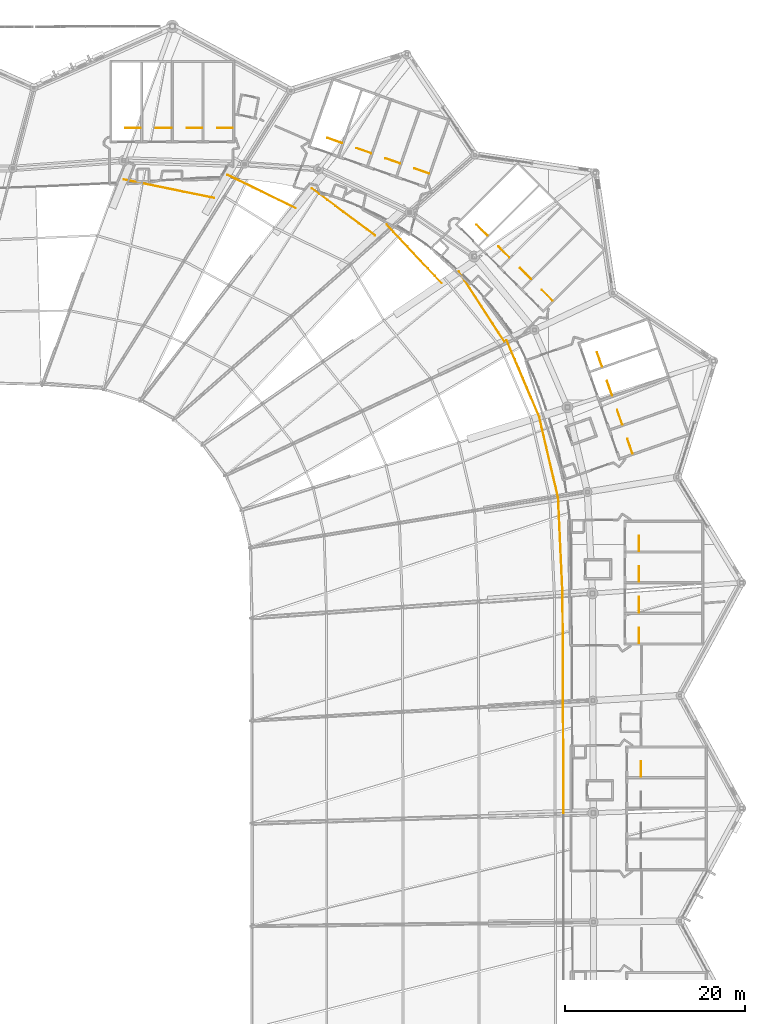
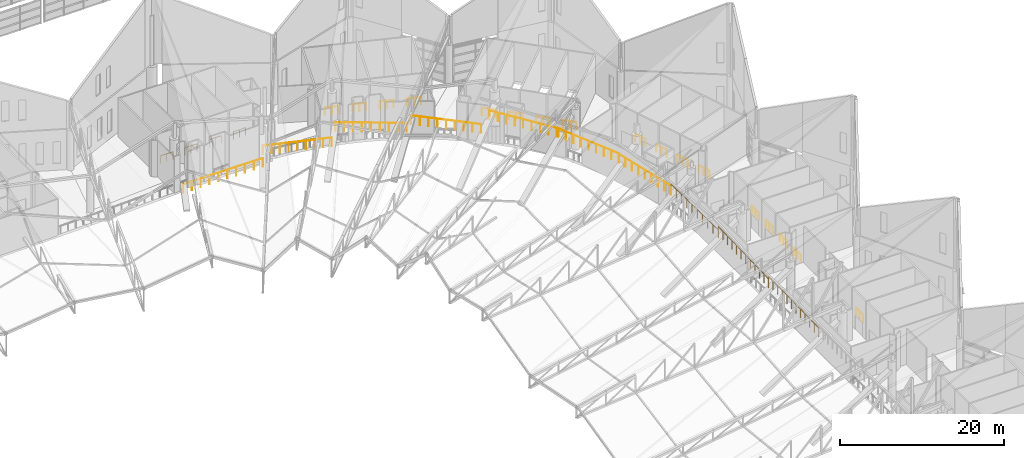
# One storey, part 344 of 344: 31 railings.
"""IFC4 building model written with IfcOpenShell, lengths in metres."""

from ifc_helpers import new_model, si_unit, direction, frame, origin, origin_2d, place, context, subcontext, project, spatial, circle, extrude, material, type_object, element, save


model = new_model("IFC4")

# Units and contexts
model_context = context("Model", 3, precision=1e-05, world=origin(), true_north=direction((0.0, 1.0)))
body_context = subcontext(model_context, "Body", "Model", "MODEL_VIEW")
ifc_project = project(units=[si_unit("LENGTHUNIT", "METRE"), si_unit("AREAUNIT", "SQUARE_METRE"), si_unit("VOLUMEUNIT", "CUBIC_METRE"), si_unit("PLANEANGLEUNIT", "RADIAN"), si_unit("MASSUNIT", "GRAM", prefix="KILO")], contexts=[model_context])

# Site, building, storey
site_placement = place(None, origin())
site = spatial("IfcSite", under=ifc_project, at=site_placement, CompositionType="ELEMENT")
building_placement = place(site_placement, origin())
building = spatial("IfcBuilding", under=site, at=building_placement, Name="Meseta Stadium", CompositionType="ELEMENT")
storey_placement = place(building_placement, frame((0.0, 0.0, 24.0)))
storey = spatial("IfcBuildingStorey", under=building, at=storey_placement, Name="L04", CompositionType="ELEMENT", Elevation=24.0)

# Railings
ifc_material_1 = material(Name="Steel S355", Category="steel")
railing_type_1 = type_object("IfcRailingType", Name="Stair guard 1100", PredefinedType="GUARDRAIL", material=ifc_material_1)
for number, where, name in (
    (1, (90.25, 22.25, 0.0), "ST16 L04 well guard 1"),
    (2, (90.050048828125, 37.050048828125, 0.0), "ST17 L04 well guard 1"),
    (3, (90.050048828125, 40.449951171875, 0.0), "ST18 L04 well guard 1"),
    (4, (90.050048828125, 43.85009765625, 0.0), "ST19 L04 well guard 1"),
    (5, (90.050048828125, 47.25, 0.0), "ST20 L04 well guard 1"),
):
    element("IfcRailing", number, at=place(storey_placement, frame(where)), inside=storey, type_object=railing_type_1, Name=name, PredefinedType="GUARDRAIL", context=body_context, shape_type="SweptSolid", body=[
        extrude(circle(Radius=0.02392578125, at=origin_2d()), frame((0.0, 0.0, 1.076171875), z_axis=(0.0, 1.0, 0.0), x_axis=(-1.0, 0.0, 0.0)), (0.0, 0.0, 1.0), 1.699951171875),
        extrude(circle(Radius=0.02099609375, at=origin_2d()), origin(), (0.0, 0.0, 1.0), 1.052001953125),
        extrude(circle(Radius=0.02099609375, at=origin_2d()), frame((0.0, 0.85009765625, 0.0)), (0.0, 0.0, 1.0), 1.052001953125),
        extrude(circle(Radius=0.02099609375, at=origin_2d()), frame((0.0, 1.699951171875, 0.0)), (0.0, 0.0, 1.0), 1.052001953125),
    ])
for number, where, name in (
    (6, (89.319091796875, 58.0595703125, 0.0), "ST21 L04 well guard 1"),
    (7, (88.196044921875, 61.268798828125, 0.0), "ST22 L04 well guard 1"),
):
    element("IfcRailing", number, at=place(storey_placement, frame(where)), inside=storey, type_object=railing_type_1, Name=name, PredefinedType="GUARDRAIL", context=body_context, shape_type="SweptSolid", body=[
        extrude(circle(Radius=0.02392578125, at=origin_2d()), frame((0.0, 0.0, 1.076171875), z_axis=(-0.330280062995, 0.943882980029, 0.0), x_axis=(-0.943882980029, -0.330280062995, 0.0)), (0.0, 0.0, 1.0), 1.7001953125),
        extrude(circle(Radius=0.02099609375, at=origin_2d()), origin(), (0.0, 0.0, 1.0), 1.052001953125),
        extrude(circle(Radius=0.02099609375, at=origin_2d()), frame((-0.28076171875, 0.80224609375, 0.0)), (0.0, 0.0, 1.0), 1.052001953125),
        extrude(circle(Radius=0.02099609375, at=origin_2d()), frame((-0.5615234375, 1.604736328125, 0.0)), (0.0, 0.0, 1.0), 1.052001953125),
    ])
railing_1_placement = place(storey_placement, frame((87.072998046875, 64.47802734375, 0.0)))
element("IfcRailing", 8, at=railing_1_placement, inside=storey, type_object=railing_type_1, Name="ST23 L04 well guard 1", PredefinedType="GUARDRAIL", context=body_context, shape_type="SweptSolid", body=[
    extrude(circle(Radius=0.02392578125, at=origin_2d()), frame((0.0, 0.0, 1.076171875), z_axis=(-0.330152118464, 0.943927740176, 0.0), x_axis=(-0.943927740176, -0.330152118464, 0.0)), (0.0, 0.0, 1.0), 1.699951171875),
    extrude(circle(Radius=0.02099609375, at=origin_2d()), origin(), (0.0, 0.0, 1.0), 1.052001953125),
    extrude(circle(Radius=0.02099609375, at=origin_2d()), frame((-0.28076171875, 0.80224609375, 0.0)), (0.0, 0.0, 1.0), 1.052001953125),
    extrude(circle(Radius=0.02099609375, at=origin_2d()), frame((-0.561279296875, 1.604736328125, 0.0)), (0.0, 0.0, 1.0), 1.052001953125),
])
railing_2_placement = place(storey_placement, frame((85.9501953125, 67.687255859375, 0.0)))
element("IfcRailing", 9, at=railing_2_placement, inside=storey, type_object=railing_type_1, Name="ST24 L04 well guard 1", PredefinedType="GUARDRAIL", context=body_context, shape_type="SweptSolid", body=[
    extrude(circle(Radius=0.02392578125, at=origin_2d()), frame((0.0, 0.0, 1.076171875), z_axis=(-0.330324835387, 0.943867312246, 0.0), x_axis=(-0.943867312246, -0.330324835387, 0.0)), (0.0, 0.0, 1.0), 1.699951171875),
    extrude(circle(Radius=0.02099609375, at=origin_2d()), origin(), (0.0, 0.0, 1.0), 1.052001953125),
    extrude(circle(Radius=0.02099609375, at=origin_2d()), frame((-0.28076171875, 0.80224609375, 0.0)), (0.0, 0.0, 1.0), 1.052001953125),
    extrude(circle(Radius=0.02099609375, at=origin_2d()), frame((-0.5615234375, 1.6044921875, 0.0)), (0.0, 0.0, 1.0), 1.052001953125),
])
railing_3_placement = place(storey_placement, frame((80.471435546875, 74.996337890625, 0.0)))
element("IfcRailing", 10, at=railing_3_placement, inside=storey, type_object=railing_type_1, Name="ST25 L04 well guard 1", PredefinedType="GUARDRAIL", context=body_context, shape_type="SweptSolid", body=[
    extrude(circle(Radius=0.02392578125, at=origin_2d()), frame((0.0, 0.0, 1.076171875), z_axis=(-0.707178586901, 0.707034968179, 0.0), x_axis=(-0.707034968179, -0.707178586901, 0.0)), (0.0, 0.0, 1.0), 1.699951171875),
    extrude(circle(Radius=0.02099609375, at=origin_2d()), origin(), (0.0, 0.0, 1.0), 1.052001953125),
    extrude(circle(Radius=0.02099609375, at=origin_2d()), frame((-0.60107421875, 0.60107421875, 0.0)), (0.0, 0.0, 1.0), 1.052001953125),
    extrude(circle(Radius=0.02099609375, at=origin_2d()), frame((-1.2021484375, 1.201904296875, 0.0)), (0.0, 0.0, 1.0), 1.052001953125),
])
for number, where, name in (
    (11, (78.0673828125, 77.400390625, 0.0), "ST26 L04 well guard 1"),
    (12, (75.6630859375, 79.804443359375, 0.0), "ST27 L04 well guard 1"),
    (13, (73.259033203125, 82.208740234375, 0.0), "ST28 L04 well guard 1"),
):
    element("IfcRailing", number, at=place(storey_placement, frame(where)), inside=storey, type_object=railing_type_1, Name=name, PredefinedType="GUARDRAIL", context=body_context, shape_type="SweptSolid", body=[
        extrude(circle(Radius=0.02392578125, at=origin_2d()), frame((0.0, 0.0, 1.076171875), z_axis=(-0.707106781187, 0.707106781187, 0.0), x_axis=(-0.707106781187, -0.707106781187, 0.0)), (0.0, 0.0, 1.0), 1.7001953125),
        extrude(circle(Radius=0.02099609375, at=origin_2d()), origin(), (0.0, 0.0, 1.0), 1.052001953125),
        extrude(circle(Radius=0.02099609375, at=origin_2d()), frame((-0.60107421875, 0.60107421875, 0.0)), (0.0, 0.0, 1.0), 1.052001953125),
        extrude(circle(Radius=0.02099609375, at=origin_2d()), frame((-1.2021484375, 1.2021484375, 0.0)), (0.0, 0.0, 1.0), 1.052001953125),
    ])
railing_4_placement = place(storey_placement, frame((66.773681640625, 89.08203125, 0.0)))
element("IfcRailing", 14, at=railing_4_placement, inside=storey, type_object=railing_type_1, Name="ST29 L04 well guard 1", PredefinedType="GUARDRAIL", context=body_context, shape_type="SweptSolid", body=[
    extrude(circle(Radius=0.02392578125, at=origin_2d()), frame((0.0, 0.0, 1.076171875), z_axis=(-0.943867312246, 0.330324835387, 0.0), x_axis=(-0.330324835387, -0.943867312246, 0.0)), (0.0, 0.0, 1.0), 1.699951171875),
    extrude(circle(Radius=0.02099609375, at=origin_2d()), origin(), (0.0, 0.0, 1.0), 1.052001953125),
    extrude(circle(Radius=0.02099609375, at=origin_2d()), frame((-0.80224609375, 0.28076171875, 0.0)), (0.0, 0.0, 1.0), 1.052001953125),
    extrude(circle(Radius=0.02099609375, at=origin_2d()), frame((-1.6044921875, 0.5615234375, 0.0)), (0.0, 0.0, 1.0), 1.052001953125),
])
railing_5_placement = place(storey_placement, frame((63.564453125, 90.205078125, 0.0)))
element("IfcRailing", 15, at=railing_5_placement, inside=storey, type_object=railing_type_1, Name="ST30 L04 well guard 1", PredefinedType="GUARDRAIL", context=body_context, shape_type="SweptSolid", body=[
    extrude(circle(Radius=0.02392578125, at=origin_2d()), frame((0.0, 0.0, 1.076171875), z_axis=(-0.943912083787, 0.330196877758, 0.0), x_axis=(-0.330196877758, -0.943912083787, 0.0)), (0.0, 0.0, 1.0), 1.699951171875),
    extrude(circle(Radius=0.02099609375, at=origin_2d()), origin(), (0.0, 0.0, 1.0), 1.052001953125),
    extrude(circle(Radius=0.02099609375, at=origin_2d()), frame((-0.80224609375, 0.28076171875, 0.0)), (0.0, 0.0, 1.0), 1.052001953125),
    extrude(circle(Radius=0.02099609375, at=origin_2d()), frame((-1.6044921875, 0.561279296875, 0.0)), (0.0, 0.0, 1.0), 1.052001953125),
])
for number, where, name in (
    (16, (60.355224609375, 91.327880859375, 0.0), "ST31 L04 well guard 1"),
    (17, (57.14599609375, 92.450927734375, 0.0), "ST32 L04 well guard 1"),
):
    element("IfcRailing", number, at=place(storey_placement, frame(where)), inside=storey, type_object=railing_type_1, Name=name, PredefinedType="GUARDRAIL", context=body_context, shape_type="SweptSolid", body=[
        extrude(circle(Radius=0.02392578125, at=origin_2d()), frame((0.0, 0.0, 1.076171875), z_axis=(-0.943867312246, 0.330324835387, 0.0), x_axis=(-0.330324835387, -0.943867312246, 0.0)), (0.0, 0.0, 1.0), 1.699951171875),
        extrude(circle(Radius=0.02099609375, at=origin_2d()), origin(), (0.0, 0.0, 1.0), 1.052001953125),
        extrude(circle(Radius=0.02099609375, at=origin_2d()), frame((-0.80224609375, 0.28076171875, 0.0)), (0.0, 0.0, 1.0), 1.052001953125),
        extrude(circle(Radius=0.02099609375, at=origin_2d()), frame((-1.6044921875, 0.5615234375, 0.0)), (0.0, 0.0, 1.0), 1.052001953125),
    ])
railing_6_placement = place(storey_placement, frame((45.033447265625, 94.14990234375, 0.0)))
element("IfcRailing", 18, at=railing_6_placement, inside=storey, type_object=railing_type_1, Name="ST33 L04 well guard 1", PredefinedType="GUARDRAIL", context=body_context, shape_type="SweptSolid", body=[
    extrude(circle(Radius=0.02392578125, at=origin_2d()), frame((0.0, 0.0, 1.076171875), z_axis=(-1.0, 0.0, 0.0), x_axis=(0.0, -1.0, 0.0)), (0.0, 0.0, 1.0), 1.7001953125),
    extrude(circle(Radius=0.02099609375, at=origin_2d()), origin(), (0.0, 0.0, 1.0), 1.052001953125),
    extrude(circle(Radius=0.02099609375, at=origin_2d()), frame((-0.85009765625, 0.0, 0.0)), (0.0, 0.0, 1.0), 1.052001953125),
    extrude(circle(Radius=0.02099609375, at=origin_2d()), frame((-1.7001953125, 0.0, 0.0)), (0.0, 0.0, 1.0), 1.052001953125),
])
for number, where, name in (
    (19, (41.63330078125, 94.14990234375, 0.0), "ST34 L04 well guard 1"),
    (20, (38.2333984375, 94.14990234375, 0.0), "ST35 L04 well guard 1"),
    (21, (34.833251953125, 94.14990234375, 0.0), "ST36 L04 well guard 1"),
):
    element("IfcRailing", number, at=place(storey_placement, frame(where)), inside=storey, type_object=railing_type_1, Name=name, PredefinedType="GUARDRAIL", context=body_context, shape_type="SweptSolid", body=[
        extrude(circle(Radius=0.02392578125, at=origin_2d()), frame((0.0, 0.0, 1.076171875), z_axis=(-1.0, 0.0, 0.0), x_axis=(0.0, -1.0, 0.0)), (0.0, 0.0, 1.0), 1.699951171875),
        extrude(circle(Radius=0.02099609375, at=origin_2d()), origin(), (0.0, 0.0, 1.0), 1.052001953125),
        extrude(circle(Radius=0.02099609375, at=origin_2d()), frame((-0.85009765625, 0.0, 0.0)), (0.0, 0.0, 1.0), 1.052001953125),
        extrude(circle(Radius=0.02099609375, at=origin_2d()), frame((-1.699951171875, 0.0, 0.0)), (0.0, 0.0, 1.0), 1.052001953125),
    ])
ifc_material_2 = material(Name="Steel S355", Category="steel")
railing_type_2 = type_object("IfcRailingType", Name="Stand rear guard 1300", PredefinedType="GUARDRAIL", material=ifc_material_2)
railing_7_placement = place(storey_placement, frame((81.677978515625, 18.213134765625, 3.282470703125)))
element("IfcRailing", 22, at=railing_7_placement, inside=storey, type_object=railing_type_2, Name="Stand upper tier rear guard bay 07", PredefinedType="GUARDRAIL", context=body_context, shape_type="SweptSolid", body=[
    extrude(circle(Radius=0.02490234375, at=origin_2d()), frame((0.0, 0.0, 1.27490234375), z_axis=(-0.003216644897, 0.999672922015, 0.025371286628), x_axis=(-0.999994823252, -0.003217680678, 0.0)), (0.0, 0.0, 1.0), 12.143798828125),
    extrude(circle(Radius=0.02001953125, at=origin_2d()), origin(), (0.0, 0.0, 1.0), 1.25),
    extrude(circle(Radius=0.02001953125, at=origin_2d()), frame((-0.003662109375, 1.103515625, 0.028076171875)), (0.0, 0.0, 1.0), 1.25),
    extrude(circle(Radius=0.02001953125, at=origin_2d()), frame((-0.007080078125, 2.207275390625, 0.055908203125)), (0.0, 0.0, 1.0), 1.25),
    extrude(circle(Radius=0.02001953125, at=origin_2d()), frame((-0.0107421875, 3.310791015625, 0.083984375)), (0.0, 0.0, 1.0), 1.25),
    extrude(circle(Radius=0.02001953125, at=origin_2d()), frame((-0.01416015625, 4.41455078125, 0.112060546875)), (0.0, 0.0, 1.0), 1.25),
    extrude(circle(Radius=0.02001953125, at=origin_2d()), frame((-0.017822265625, 5.51806640625, 0.14013671875)), (0.0, 0.0, 1.0), 1.25),
    extrude(circle(Radius=0.02001953125, at=origin_2d()), frame((-0.021240234375, 6.621826171875, 0.16796875)), (0.0, 0.0, 1.0), 1.25),
    extrude(circle(Radius=0.02001953125, at=origin_2d()), frame((-0.02490234375, 7.725341796875, 0.196044921875)), (0.0, 0.0, 1.0), 1.25),
    extrude(circle(Radius=0.02001953125, at=origin_2d()), frame((-0.0283203125, 8.8291015625, 0.22412109375)), (0.0, 0.0, 1.0), 1.25),
    extrude(circle(Radius=0.02001953125, at=origin_2d()), frame((-0.031982421875, 9.9326171875, 0.252197265625)), (0.0, 0.0, 1.0), 1.25),
    extrude(circle(Radius=0.02001953125, at=origin_2d()), frame((-0.035400390625, 11.036376953125, 0.280029296875)), (0.0, 0.0, 1.0), 1.25),
    extrude(circle(Radius=0.02001953125, at=origin_2d()), frame((-0.0390625, 12.139892578125, 0.30810546875)), (0.0, 0.0, 1.0), 1.25),
])
railing_8_placement = place(storey_placement, frame((81.638916015625, 30.35302734375, 3.205810546875)))
element("IfcRailing", 23, at=railing_8_placement, inside=storey, type_object=railing_type_2, Name="Stand upper tier rear guard bay 08", PredefinedType="GUARDRAIL", context=body_context, shape_type="SweptSolid", body=[
    extrude(circle(Radius=0.02490234375, at=origin_2d()), frame((0.0, 0.0, 1.27490234375), z_axis=(-0.004804166005, 0.99926652903, 0.037991103554), x_axis=(-0.999988443248, -0.004807636746, 0.0)), (0.0, 0.0, 1.0), 12.1455078125),
    extrude(circle(Radius=0.02001953125, at=origin_2d()), origin(), (0.0, 0.0, 1.0), 1.25),
    extrude(circle(Radius=0.02001953125, at=origin_2d()), frame((-0.00537109375, 1.103271484375, 0.0419921875)), (0.0, 0.0, 1.0), 1.25),
    extrude(circle(Radius=0.02001953125, at=origin_2d()), frame((-0.010498046875, 2.206787109375, 0.083984375)), (0.0, 0.0, 1.0), 1.25),
    extrude(circle(Radius=0.02001953125, at=origin_2d()), frame((-0.015869140625, 3.31005859375, 0.125732421875)), (0.0, 0.0, 1.0), 1.25),
    extrude(circle(Radius=0.02001953125, at=origin_2d()), frame((-0.021240234375, 4.413330078125, 0.167724609375)), (0.0, 0.0, 1.0), 1.25),
    extrude(circle(Radius=0.02001953125, at=origin_2d()), frame((-0.026611328125, 5.5166015625, 0.209716796875)), (0.0, 0.0, 1.0), 1.25),
    extrude(circle(Radius=0.02001953125, at=origin_2d()), frame((-0.03173828125, 6.6201171875, 0.251708984375)), (0.0, 0.0, 1.0), 1.25),
    extrude(circle(Radius=0.02001953125, at=origin_2d()), frame((-0.037109375, 7.723388671875, 0.293701171875)), (0.0, 0.0, 1.0), 1.25),
    extrude(circle(Radius=0.02001953125, at=origin_2d()), frame((-0.04248046875, 8.82666015625, 0.335693359375)), (0.0, 0.0, 1.0), 1.25),
    extrude(circle(Radius=0.02001953125, at=origin_2d()), frame((-0.0478515625, 9.929931640625, 0.37744140625)), (0.0, 0.0, 1.0), 1.25),
    extrude(circle(Radius=0.02001953125, at=origin_2d()), frame((-0.052978515625, 11.033447265625, 0.41943359375)), (0.0, 0.0, 1.0), 1.25),
    extrude(circle(Radius=0.02001953125, at=origin_2d()), frame((-0.058349609375, 12.13671875, 0.46142578125)), (0.0, 0.0, 1.0), 1.25),
])
railing_9_placement = place(storey_placement, frame((81.58056640625, 42.48974609375, 3.18310546875)))
element("IfcRailing", 24, at=railing_9_placement, inside=storey, type_object=railing_type_2, Name="Stand upper tier rear guard bay 09", PredefinedType="GUARDRAIL", context=body_context, shape_type="SweptSolid", body=[
    extrude(circle(Radius=0.02490234375, at=origin_2d()), frame((0.0, 0.0, 1.27490234375), z_axis=(-0.046116354066, 0.997923166182, 0.044973728841), x_axis=(-0.99893391753, -0.04616306324, 0.0)), (0.0, 0.0, 1.0), 10.683349609375),
    extrude(circle(Radius=0.02001953125, at=origin_2d()), origin(), (0.0, 0.0, 1.0), 1.25),
    extrude(circle(Radius=0.02001953125, at=origin_2d()), frame((-0.0546875, 1.1845703125, 0.053466796875)), (0.0, 0.0, 1.0), 1.25),
    extrude(circle(Radius=0.02001953125, at=origin_2d()), frame((-0.109375, 2.369140625, 0.106689453125)), (0.0, 0.0, 1.0), 1.25),
    extrude(circle(Radius=0.02001953125, at=origin_2d()), frame((-0.164306640625, 3.5537109375, 0.16015625)), (0.0, 0.0, 1.0), 1.25),
    extrude(circle(Radius=0.02001953125, at=origin_2d()), frame((-0.218994140625, 4.73828125, 0.213623046875)), (0.0, 0.0, 1.0), 1.25),
    extrude(circle(Radius=0.02001953125, at=origin_2d()), frame((-0.273681640625, 5.9228515625, 0.266845703125)), (0.0, 0.0, 1.0), 1.25),
    extrude(circle(Radius=0.02001953125, at=origin_2d()), frame((-0.328369140625, 7.107421875, 0.3203125)), (0.0, 0.0, 1.0), 1.25),
    extrude(circle(Radius=0.02001953125, at=origin_2d()), frame((-0.38330078125, 8.2919921875, 0.373779296875)), (0.0, 0.0, 1.0), 1.25),
    extrude(circle(Radius=0.02001953125, at=origin_2d()), frame((-0.43798828125, 9.4765625, 0.427001953125)), (0.0, 0.0, 1.0), 1.25),
    extrude(circle(Radius=0.02001953125, at=origin_2d()), frame((-0.49267578125, 10.6611328125, 0.48046875)), (0.0, 0.0, 1.0), 1.25),
])
railing_10_placement = place(storey_placement, frame((81.087890625, 53.15087890625, 3.386962890625)))
element("IfcRailing", 25, at=railing_10_placement, inside=storey, type_object=railing_type_2, Name="Stand upper tier rear guard bay 10", PredefinedType="GUARDRAIL", context=body_context, shape_type="SweptSolid", body=[
    extrude(circle(Radius=0.02490234375, at=origin_2d()), frame((0.0, 0.0, 1.27490234375), z_axis=(-0.227072763865, 0.973876320861, 0.001694572865), x_axis=(-0.973877719144, -0.227073089894, 0.0)), (0.0, 0.0, 1.0), 9.220703125),
    extrude(circle(Radius=0.02001953125, at=origin_2d()), origin(), (0.0, 0.0, 1.0), 1.25),
    extrude(circle(Radius=0.02001953125, at=origin_2d()), frame((-0.26171875, 1.12255859375, 0.001953125)), (0.0, 0.0, 1.0), 1.25),
    extrude(circle(Radius=0.02001953125, at=origin_2d()), frame((-0.5234375, 2.244873046875, 0.00390625)), (0.0, 0.0, 1.0), 1.25),
    extrude(circle(Radius=0.02001953125, at=origin_2d()), frame((-0.78515625, 3.367431640625, 0.005859375)), (0.0, 0.0, 1.0), 1.25),
    extrude(circle(Radius=0.02001953125, at=origin_2d()), frame((-1.046875, 4.48974609375, 0.0078125)), (0.0, 0.0, 1.0), 1.25),
    extrude(circle(Radius=0.02001953125, at=origin_2d()), frame((-1.30859375, 5.6123046875, 0.009765625)), (0.0, 0.0, 1.0), 1.25),
    extrude(circle(Radius=0.02001953125, at=origin_2d()), frame((-1.5703125, 6.73486328125, 0.01171875)), (0.0, 0.0, 1.0), 1.25),
    extrude(circle(Radius=0.02001953125, at=origin_2d()), frame((-1.83203125, 7.857177734375, 0.013671875)), (0.0, 0.0, 1.0), 1.25),
    extrude(circle(Radius=0.02001953125, at=origin_2d()), frame((-2.09375, 8.979736328125, 0.015625)), (0.0, 0.0, 1.0), 1.25),
])
railing_11_placement = place(storey_placement, frame((78.994140625, 62.130615234375, 3.471923828125)))
element("IfcRailing", 26, at=railing_11_placement, inside=storey, type_object=railing_type_2, Name="Stand upper tier rear guard bay 11", PredefinedType="GUARDRAIL", context=body_context, shape_type="SweptSolid", body=[
    extrude(circle(Radius=0.02490234375, at=origin_2d()), frame((0.0, 0.0, 1.27490234375), z_axis=(-0.391678969122, 0.919949530111, -0.016746557748), x_axis=(-0.920078555883, -0.391733903312, 0.0)), (0.0, 0.0, 1.0), 9.228271484375),
    extrude(circle(Radius=0.02001953125, at=origin_2d()), origin(), (0.0, 0.0, 1.0), 1.25),
    extrude(circle(Radius=0.02001953125, at=origin_2d()), frame((-0.451904296875, 1.061279296875, -0.019287109375)), (0.0, 0.0, 1.0), 1.25),
    extrude(circle(Radius=0.02001953125, at=origin_2d()), frame((-0.903564453125, 2.122314453125, -0.03857421875)), (0.0, 0.0, 1.0), 1.25),
    extrude(circle(Radius=0.02001953125, at=origin_2d()), frame((-1.35546875, 3.18359375, -0.057861328125)), (0.0, 0.0, 1.0), 1.25),
    extrude(circle(Radius=0.02001953125, at=origin_2d()), frame((-1.80712890625, 4.24462890625, -0.0771484375)), (0.0, 0.0, 1.0), 1.25),
    extrude(circle(Radius=0.02001953125, at=origin_2d()), frame((-2.259033203125, 5.305908203125, -0.0966796875)), (0.0, 0.0, 1.0), 1.25),
    extrude(circle(Radius=0.02001953125, at=origin_2d()), frame((-2.7109375, 6.3671875, -0.115966796875)), (0.0, 0.0, 1.0), 1.25),
    extrude(circle(Radius=0.02001953125, at=origin_2d()), frame((-3.16259765625, 7.42822265625, -0.13525390625)), (0.0, 0.0, 1.0), 1.25),
    extrude(circle(Radius=0.02001953125, at=origin_2d()), frame((-3.614501953125, 8.489501953125, -0.154541015625)), (0.0, 0.0, 1.0), 1.25),
])
railing_12_placement = place(storey_placement, frame((75.112548828125, 70.49169921875, 3.555419921875)))
element("IfcRailing", 27, at=railing_12_placement, inside=storey, type_object=railing_type_2, Name="Stand upper tier rear guard bay 12", PredefinedType="GUARDRAIL", context=body_context, shape_type="SweptSolid", body=[
    extrude(circle(Radius=0.02490234375, at=origin_2d()), frame((0.0, 0.0, 1.27490234375), z_axis=(-0.544637168371, 0.83794002174, -0.035026772552), x_axis=(-0.838454518953, -0.544971576917, 0.0)), (0.0, 0.0, 1.0), 9.214599609375),
    extrude(circle(Radius=0.02001953125, at=origin_2d()), origin(), (0.0, 0.0, 1.0), 1.25),
    extrude(circle(Radius=0.02001953125, at=origin_2d()), frame((-0.62744140625, 0.965087890625, -0.040283203125)), (0.0, 0.0, 1.0), 1.25),
    extrude(circle(Radius=0.02001953125, at=origin_2d()), frame((-1.254638671875, 1.93017578125, -0.08056640625)), (0.0, 0.0, 1.0), 1.25),
    extrude(circle(Radius=0.02001953125, at=origin_2d()), frame((-1.8818359375, 2.8955078125, -0.12109375)), (0.0, 0.0, 1.0), 1.25),
    extrude(circle(Radius=0.02001953125, at=origin_2d()), frame((-2.50927734375, 3.860595703125, -0.161376953125)), (0.0, 0.0, 1.0), 1.25),
    extrude(circle(Radius=0.02001953125, at=origin_2d()), frame((-3.13671875, 4.82568359375, -0.20166015625)), (0.0, 0.0, 1.0), 1.25),
    extrude(circle(Radius=0.02001953125, at=origin_2d()), frame((-3.763916015625, 5.791015625, -0.2421875)), (0.0, 0.0, 1.0), 1.25),
    extrude(circle(Radius=0.02001953125, at=origin_2d()), frame((-4.39111328125, 6.756103515625, -0.282470703125)), (0.0, 0.0, 1.0), 1.25),
    extrude(circle(Radius=0.02001953125, at=origin_2d()), frame((-5.0185546875, 7.72119140625, -0.32275390625)), (0.0, 0.0, 1.0), 1.25),
])
railing_13_placement = place(storey_placement, frame((68.193115234375, 76.929443359375, 2.638427734375)))
element("IfcRailing", 28, at=railing_13_placement, inside=storey, type_object=railing_type_2, Name="Stand upper tier rear guard bay 13", PredefinedType="GUARDRAIL", context=body_context, shape_type="SweptSolid", body=[
    extrude(circle(Radius=0.02490234375, at=origin_2d()), frame((0.0, 0.0, 1.27490234375), z_axis=(-0.683205851583, 0.728197123106, -0.054394064599), x_axis=(-0.729276783109, -0.684218805368, 0.0)), (0.0, 0.0, 1.0), 8.931884765625),
    extrude(circle(Radius=0.02001953125, at=origin_2d()), origin(), (0.0, 0.0, 1.0), 1.25),
    extrude(circle(Radius=0.02001953125, at=origin_2d()), frame((-0.7626953125, 0.81298828125, -0.060791015625)), (0.0, 0.0, 1.0), 1.25),
    extrude(circle(Radius=0.02001953125, at=origin_2d()), frame((-1.525634765625, 1.6259765625, -0.12158203125)), (0.0, 0.0, 1.0), 1.25),
    extrude(circle(Radius=0.02001953125, at=origin_2d()), frame((-2.288330078125, 2.43896484375, -0.18212890625)), (0.0, 0.0, 1.0), 1.25),
    extrude(circle(Radius=0.02001953125, at=origin_2d()), frame((-3.05126953125, 3.251953125, -0.242919921875)), (0.0, 0.0, 1.0), 1.25),
    extrude(circle(Radius=0.02001953125, at=origin_2d()), frame((-3.81396484375, 4.065185546875, -0.3037109375)), (0.0, 0.0, 1.0), 1.25),
    extrude(circle(Radius=0.02001953125, at=origin_2d()), frame((-4.57666015625, 4.878173828125, -0.3642578125)), (0.0, 0.0, 1.0), 1.25),
    extrude(circle(Radius=0.02001953125, at=origin_2d()), frame((-5.339599609375, 5.691162109375, -0.425048828125)), (0.0, 0.0, 1.0), 1.25),
    extrude(circle(Radius=0.02001953125, at=origin_2d()), frame((-6.102294921875, 6.504150390625, -0.48583984375)), (0.0, 0.0, 1.0), 1.25),
])
railing_14_placement = place(storey_placement, frame((60.78759765625, 82.24072265625, 2.2158203125)))
element("IfcRailing", 29, at=railing_14_placement, inside=storey, type_object=railing_type_2, Name="Stand upper tier rear guard bay 14", PredefinedType="GUARDRAIL", context=body_context, shape_type="SweptSolid", body=[
    extrude(circle(Radius=0.02490234375, at=origin_2d()), frame((0.0, 0.0, 1.27490234375), z_axis=(-0.800962740226, 0.594214075961, -0.07326882488), x_axis=(-0.595815492402, -0.803121347626, 0.0)), (0.0, 0.0, 1.0), 8.750244140625),
    extrude(circle(Radius=0.02001953125, at=origin_2d()), origin(), (0.0, 0.0, 1.0), 1.25),
    extrude(circle(Radius=0.02001953125, at=origin_2d()), frame((-0.8759765625, 0.64990234375, -0.080078125)), (0.0, 0.0, 1.0), 1.25),
    extrude(circle(Radius=0.02001953125, at=origin_2d()), frame((-1.752197265625, 1.2998046875, -0.16015625)), (0.0, 0.0, 1.0), 1.25),
    extrude(circle(Radius=0.02001953125, at=origin_2d()), frame((-2.628173828125, 1.94970703125, -0.240478515625)), (0.0, 0.0, 1.0), 1.25),
    extrude(circle(Radius=0.02001953125, at=origin_2d()), frame((-3.50439453125, 2.599609375, -0.320556640625)), (0.0, 0.0, 1.0), 1.25),
    extrude(circle(Radius=0.02001953125, at=origin_2d()), frame((-4.38037109375, 3.249755859375, -0.400634765625)), (0.0, 0.0, 1.0), 1.25),
    extrude(circle(Radius=0.02001953125, at=origin_2d()), frame((-5.25634765625, 3.899658203125, -0.48095703125)), (0.0, 0.0, 1.0), 1.25),
    extrude(circle(Radius=0.02001953125, at=origin_2d()), frame((-6.132568359375, 4.549560546875, -0.56103515625)), (0.0, 0.0, 1.0), 1.25),
    extrude(circle(Radius=0.02001953125, at=origin_2d()), frame((-7.008544921875, 5.199462890625, -0.64111328125)), (0.0, 0.0, 1.0), 1.25),
])
railing_15_placement = place(storey_placement, frame((52.006103515625, 85.2431640625, 1.288330078125)))
element("IfcRailing", 30, at=railing_15_placement, inside=storey, type_object=railing_type_2, Name="Stand upper tier rear guard bay 15", PredefinedType="GUARDRAIL", context=body_context, shape_type="SweptSolid", body=[
    extrude(circle(Radius=0.02490234375, at=origin_2d()), frame((0.0, 0.0, 1.27490234375), z_axis=(-0.894887665062, 0.436479057377, -0.093070400184), x_axis=(-0.438381840399, -0.898788830598, 0.0)), (0.0, 0.0, 1.0), 8.438720703125),
    extrude(circle(Radius=0.02001953125, at=origin_2d()), origin(), (0.0, 0.0, 1.0), 1.25),
    extrude(circle(Radius=0.02001953125, at=origin_2d()), frame((-0.94384765625, 0.46044921875, -0.09814453125)), (0.0, 0.0, 1.0), 1.25),
    extrude(circle(Radius=0.02001953125, at=origin_2d()), frame((-1.887939453125, 0.9208984375, -0.1962890625)), (0.0, 0.0, 1.0), 1.25),
    extrude(circle(Radius=0.02001953125, at=origin_2d()), frame((-2.83203125, 1.38134765625, -0.29443359375)), (0.0, 0.0, 1.0), 1.25),
    extrude(circle(Radius=0.02001953125, at=origin_2d()), frame((-3.77587890625, 1.841796875, -0.392578125)), (0.0, 0.0, 1.0), 1.25),
    extrude(circle(Radius=0.02001953125, at=origin_2d()), frame((-4.7197265625, 2.302001953125, -0.490966796875)), (0.0, 0.0, 1.0), 1.25),
    extrude(circle(Radius=0.02001953125, at=origin_2d()), frame((-5.663818359375, 2.762451171875, -0.589111328125)), (0.0, 0.0, 1.0), 1.25),
    extrude(circle(Radius=0.02001953125, at=origin_2d()), frame((-6.60791015625, 3.222900390625, -0.687255859375)), (0.0, 0.0, 1.0), 1.25),
    extrude(circle(Radius=0.02001953125, at=origin_2d()), frame((-7.5517578125, 3.683349609375, -0.785400390625)), (0.0, 0.0, 1.0), 1.25),
])
railing_16_placement = place(storey_placement, frame((42.97998046875, 86.376220703125, 0.70263671875)))
element("IfcRailing", 31, at=railing_16_placement, inside=storey, type_object=railing_type_2, Name="Stand upper tier rear guard bay 16", PredefinedType="GUARDRAIL", context=body_context, shape_type="SweptSolid", body=[
    extrude(circle(Radius=0.02490234375, at=origin_2d()), frame((0.0, 0.0, 1.27490234375), z_axis=(-0.968175794174, 0.197036068261, -0.154312732398), x_axis=(-0.199424767209, -0.979913140142, 0.0)), (0.0, 0.0, 1.0), 10.365966796875),
    extrude(circle(Radius=0.02001953125, at=origin_2d()), origin(), (0.0, 0.0, 1.0), 1.25),
    extrude(circle(Radius=0.02001953125, at=origin_2d()), frame((-1.115234375, 0.22705078125, -0.177734375)), (0.0, 0.0, 1.0), 1.25),
    extrude(circle(Radius=0.02001953125, at=origin_2d()), frame((-2.230224609375, 0.453857421875, -0.35546875)), (0.0, 0.0, 1.0), 1.25),
    extrude(circle(Radius=0.02001953125, at=origin_2d()), frame((-3.345458984375, 0.680908203125, -0.533203125)), (0.0, 0.0, 1.0), 1.25),
    extrude(circle(Radius=0.02001953125, at=origin_2d()), frame((-4.46044921875, 0.90771484375, -0.7109375)), (0.0, 0.0, 1.0), 1.25),
    extrude(circle(Radius=0.02001953125, at=origin_2d()), frame((-5.57568359375, 1.134765625, -0.888671875)), (0.0, 0.0, 1.0), 1.25),
    extrude(circle(Radius=0.02001953125, at=origin_2d()), frame((-6.690673828125, 1.361572265625, -1.06640625)), (0.0, 0.0, 1.0), 1.25),
    extrude(circle(Radius=0.02001953125, at=origin_2d()), frame((-7.805908203125, 1.588623046875, -1.244140625)), (0.0, 0.0, 1.0), 1.25),
    extrude(circle(Radius=0.02001953125, at=origin_2d()), frame((-8.9208984375, 1.8154296875, -1.421875)), (0.0, 0.0, 1.0), 1.25),
    extrude(circle(Radius=0.02001953125, at=origin_2d()), frame((-10.0361328125, 2.04248046875, -1.599609375)), (0.0, 0.0, 1.0), 1.25),
])

save(model, "model.ifc")
